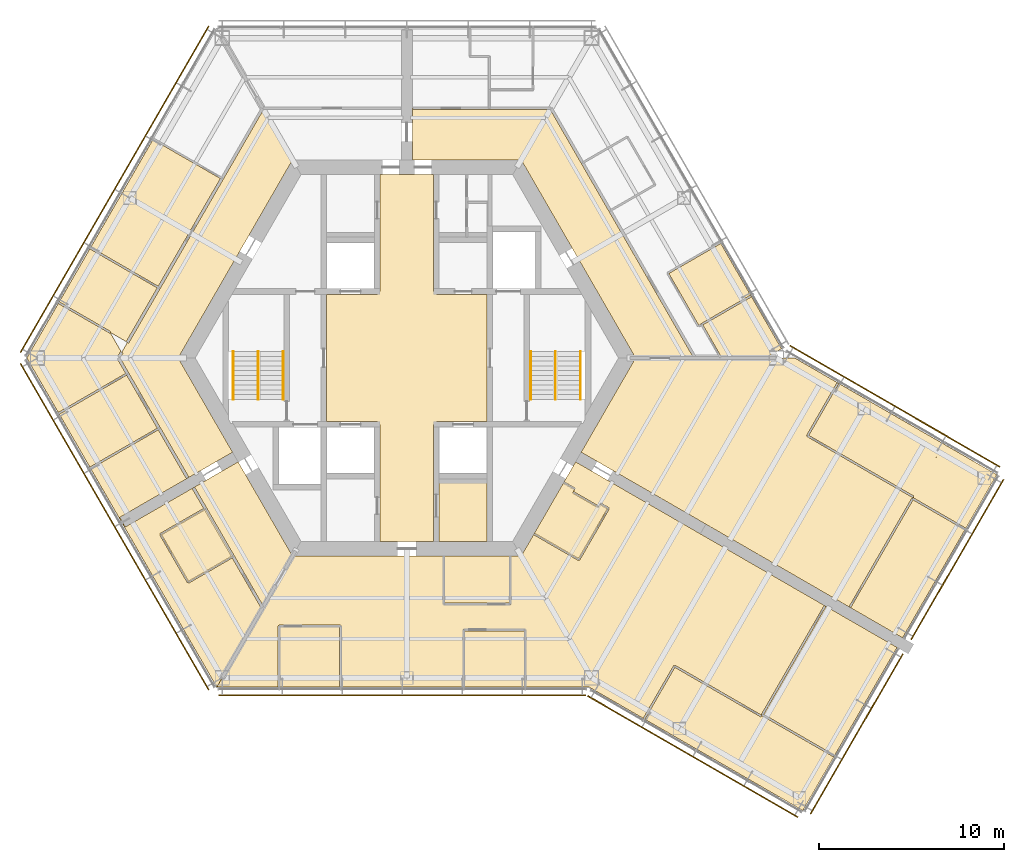
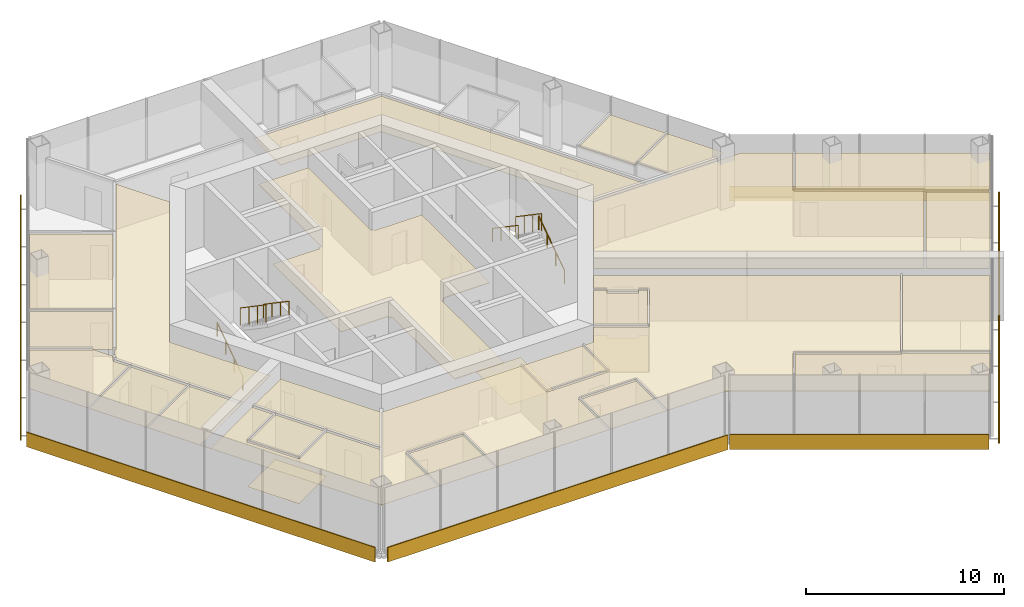
# One storey, part 16 of 17: 26 coverings, 7 shading devices, 6 railings.
"""IFC4 building model written with IfcOpenShell, lengths in metres."""

from ifc_helpers import new_model, si_unit, direction, frame, origin, origin_2d, place, context, subcontext, project, spatial, polyline, rectangle, circle, outline, extrude, material, layer, layer_set, type_object, element, save


model = new_model("IFC4")

# Units and contexts
model_context = context("Model", 3, precision=1e-05, world=origin(), true_north=direction((0.0, 1.0)))
body_context = subcontext(model_context, "Body", "Model", "MODEL_VIEW")
ifc_project = project(units=[si_unit("LENGTHUNIT", "METRE"), si_unit("AREAUNIT", "SQUARE_METRE"), si_unit("VOLUMEUNIT", "CUBIC_METRE"), si_unit("PLANEANGLEUNIT", "RADIAN"), si_unit("MASSUNIT", "GRAM", prefix="KILO")], contexts=[model_context])

# Site, building, storey
site_placement = place(None, origin())
site = spatial("IfcSite", under=ifc_project, at=site_placement, CompositionType="ELEMENT")
building_placement = place(site_placement, origin())
building = spatial("IfcBuilding", under=site, at=building_placement, Name="Kasaneha Research Tower", CompositionType="ELEMENT")
storey_placement = place(building_placement, frame((0.0, 0.0, 224.5)))
storey = spatial("IfcBuildingStorey", under=building, at=storey_placement, Name="L56", CompositionType="ELEMENT", Elevation=224.5)

# Covering
ifc_material_1 = material(Name="Aluminium panel ceiling", Category="aluminium")
ifc_layer_1 = layer(ifc_material_1, 0.0400390625)
ifc_layer_set_1 = layer_set([ifc_layer_1], Name="Lift lobby ceiling 40")
covering_type_1 = type_object("IfcCoveringType", Name="Lift lobby ceiling 40", PredefinedType="CEILING", material=ifc_layer_set_1)
covering_1_placement = place(storey_placement, frame((0.0, 0.0, 2.699951171875)))
element("IfcCovering", 1, at=covering_1_placement, inside=storey, type_object=covering_type_1, Name="Ceiling L56-01", PredefinedType="CEILING", context=body_context, shape_type="SweptSolid", body=[
    extrude(outline(polyline([(1.449951171875, 9.925048828125), (1.449951171875, 3.60009765625), (1.60009765625, 3.60009765625), (1.60009765625, 3.449951171875), (4.35009765625, 3.449951171875), (4.35009765625, -3.449951171875), (1.60009765625, -3.449951171875), (1.60009765625, -3.60009765625), (1.449951171875, -3.60009765625), (1.449951171875, -9.925048828125), (-1.449951171875, -9.925048828125), (-1.449951171875, -3.60009765625), (-1.60009765625, -3.60009765625), (-1.60009765625, -3.449951171875), (-4.35009765625, -3.449951171875), (-4.35009765625, 3.449951171875), (-1.60009765625, 3.449951171875), (-1.60009765625, 3.60009765625), (-1.449951171875, 3.60009765625), (-1.449951171875, 9.925048828125), (1.449951171875, 9.925048828125)])), origin(), (0.0, 0.0, 1.0), 0.0400390625),
])

# Railings
ifc_material_2 = material(Name="Steel", Category="steel")
railing_type_1 = type_object("IfcRailingType", Name="Stair balustrade 1100", PredefinedType="GUARDRAIL", material=ifc_material_2)
for number, where, name in (
    (2, (8.050048828125, 0.35009765625, 2.127197265625), "Stair 1 balustrade L56"),
    (3, (-8.050048828125, 0.35009765625, 2.127197265625), "Stair 2 balustrade L56"),
):
    element("IfcRailing", number, at=place(storey_placement, frame(where)), inside=storey, type_object=railing_type_1, Name=name, PredefinedType="GUARDRAIL", context=body_context, shape_type="SweptSolid", body=[
        extrude(circle(Radius=0.02392578125, at=origin_2d()), frame((0.0, 0.0, 1.076171875), z_axis=(0.0, -0.826240473404, 0.563317565952), x_axis=(1.0, 0.0, 0.0)), (0.0, 0.0, 1.0), 3.14697265625),
        extrude(circle(Radius=0.02099609375, at=origin_2d()), origin(), (0.0, 0.0, 1.0), 1.052001953125),
        extrude(circle(Radius=0.02099609375, at=origin_2d()), frame((0.0, -0.86669921875, 0.5908203125)), (0.0, 0.0, 1.0), 1.052001953125),
        extrude(circle(Radius=0.02099609375, at=origin_2d()), frame((0.0, -1.7333984375, 1.181884765625)), (0.0, 0.0, 1.0), 1.052001953125),
        extrude(circle(Radius=0.02099609375, at=origin_2d()), frame((0.0, -2.60009765625, 1.772705078125)), (0.0, 0.0, 1.0), 1.052001953125),
    ])
ifc_material_3 = material(Name="Steel", Category="steel")
railing_type_2 = type_object("IfcRailingType", Name="Stair handrail 850", PredefinedType="HANDRAIL", material=ifc_material_3)
railing_1_placement = place(storey_placement, frame((9.39990234375, -2.25, 0.17724609375)))
element("IfcRailing", 4, at=railing_1_placement, inside=storey, type_object=railing_type_2, Name="Stair 1 handrail L56", PredefinedType="HANDRAIL", context=body_context, shape_type="SweptSolid", body=[
    extrude(circle(Radius=0.02392578125, at=origin_2d()), frame((0.0, 0.0, 0.826171875), z_axis=(0.0, 0.826240473404, 0.563317565952), x_axis=(-1.0, 0.0, 0.0)), (0.0, 0.0, 1.0), 3.14697265625),
    extrude(circle(Radius=0.02099609375, at=origin_2d()), origin(), (0.0, 0.0, 1.0), 0.802001953125),
    extrude(circle(Radius=0.02099609375, at=origin_2d()), frame((0.0, 0.86669921875, 0.5908203125)), (0.0, 0.0, 1.0), 0.802001953125),
    extrude(circle(Radius=0.02099609375, at=origin_2d()), frame((0.0, 1.7333984375, 1.181884765625)), (0.0, 0.0, 1.0), 0.802001953125),
    extrude(circle(Radius=0.02099609375, at=origin_2d()), frame((0.0, 2.60009765625, 1.772705078125)), (0.0, 0.0, 1.0), 0.802001953125),
])
railing_2_placement = place(storey_placement, frame((6.699951171875, 0.35009765625, 2.127197265625)))
element("IfcRailing", 5, at=railing_2_placement, inside=storey, type_object=railing_type_2, Name="Stair 1 handrail L56", PredefinedType="HANDRAIL", context=body_context, shape_type="SweptSolid", body=[
    extrude(circle(Radius=0.02392578125, at=origin_2d()), frame((0.0, 0.0, 0.826171875), z_axis=(0.0, -0.826240473404, 0.563317565952), x_axis=(1.0, 0.0, 0.0)), (0.0, 0.0, 1.0), 3.14697265625),
    extrude(circle(Radius=0.02099609375, at=origin_2d()), origin(), (0.0, 0.0, 1.0), 0.802001953125),
    extrude(circle(Radius=0.02099609375, at=origin_2d()), frame((0.0, -0.86669921875, 0.5908203125)), (0.0, 0.0, 1.0), 0.802001953125),
    extrude(circle(Radius=0.02099609375, at=origin_2d()), frame((0.0, -1.7333984375, 1.181884765625)), (0.0, 0.0, 1.0), 0.802001953125),
    extrude(circle(Radius=0.02099609375, at=origin_2d()), frame((0.0, -2.60009765625, 1.772705078125)), (0.0, 0.0, 1.0), 0.802001953125),
])
railing_3_placement = place(storey_placement, frame((-9.39990234375, -2.25, 0.17724609375)))
element("IfcRailing", 6, at=railing_3_placement, inside=storey, type_object=railing_type_2, Name="Stair 2 handrail L56", PredefinedType="HANDRAIL", context=body_context, shape_type="SweptSolid", body=[
    extrude(circle(Radius=0.02392578125, at=origin_2d()), frame((0.0, 0.0, 0.826171875), z_axis=(0.0, 0.826240473404, 0.563317565952), x_axis=(-1.0, 0.0, 0.0)), (0.0, 0.0, 1.0), 3.14697265625),
    extrude(circle(Radius=0.02099609375, at=origin_2d()), origin(), (0.0, 0.0, 1.0), 0.802001953125),
    extrude(circle(Radius=0.02099609375, at=origin_2d()), frame((0.0, 0.86669921875, 0.5908203125)), (0.0, 0.0, 1.0), 0.802001953125),
    extrude(circle(Radius=0.02099609375, at=origin_2d()), frame((0.0, 1.7333984375, 1.181884765625)), (0.0, 0.0, 1.0), 0.802001953125),
    extrude(circle(Radius=0.02099609375, at=origin_2d()), frame((0.0, 2.60009765625, 1.772705078125)), (0.0, 0.0, 1.0), 0.802001953125),
])
railing_4_placement = place(storey_placement, frame((-6.699951171875, 0.35009765625, 2.127197265625)))
element("IfcRailing", 7, at=railing_4_placement, inside=storey, type_object=railing_type_2, Name="Stair 2 handrail L56", PredefinedType="HANDRAIL", context=body_context, shape_type="SweptSolid", body=[
    extrude(circle(Radius=0.02392578125, at=origin_2d()), frame((0.0, 0.0, 0.826171875), z_axis=(0.0, -0.826240473404, 0.563317565952), x_axis=(1.0, 0.0, 0.0)), (0.0, 0.0, 1.0), 3.14697265625),
    extrude(circle(Radius=0.02099609375, at=origin_2d()), origin(), (0.0, 0.0, 1.0), 0.802001953125),
    extrude(circle(Radius=0.02099609375, at=origin_2d()), frame((0.0, -0.86669921875, 0.5908203125)), (0.0, 0.0, 1.0), 0.802001953125),
    extrude(circle(Radius=0.02099609375, at=origin_2d()), frame((0.0, -1.7333984375, 1.181884765625)), (0.0, 0.0, 1.0), 0.802001953125),
    extrude(circle(Radius=0.02099609375, at=origin_2d()), frame((0.0, -2.60009765625, 1.772705078125)), (0.0, 0.0, 1.0), 0.802001953125),
])

# Coverings
ifc_material_4 = material(Name="Gypsum ceiling board", Category="gypsum")
ifc_layer_2 = layer(ifc_material_4, 0.02001953125)
ifc_layer_set_2 = layer_set([ifc_layer_2], Name="Suspended ceiling 20")
covering_type_2 = type_object("IfcCoveringType", Name="Suspended ceiling 20", PredefinedType="CEILING", material=ifc_layer_set_2)
covering_2_placement = place(storey_placement, frame((0.0, 0.0, 2.800048828125)))
element("IfcCovering", 8, at=covering_2_placement, inside=storey, type_object=covering_type_2, Name="Ceiling L56-24", PredefinedType="CEILING", context=body_context, shape_type="SweptSolid", body=[
    extrude(outline(polyline([(6.192138671875, 10.72509765625), (0.300048828125, 10.72509765625), (0.300048828125, 11.72509765625), (0.300048828125, 12.72509765625), (0.300048828125, 13.52490234375), (0.320068359375, 13.52490234375), (0.320068359375, 13.449951171875), (4.46044921875, 13.449951171875), (4.469970703125, 13.449951171875), (7.765380859375, 13.449951171875), (9.4501953125, 10.531494140625), (9.4501953125, 10.53173828125), (10.950439453125, 7.93310546875), (10.95068359375, 7.93310546875), (15.53076171875, 0.0), (12.38427734375, 0.0), (6.192138671875, 10.72509765625)])), origin(), (0.0, 0.0, 1.0), 0.02001953125),
])
covering_3_placement = place(storey_placement, frame((0.0, 0.0, 2.800048828125)))
element("IfcCovering", 9, at=covering_3_placement, inside=storey, type_object=covering_type_2, Name="Ceiling L56-27", PredefinedType="CEILING", context=body_context, shape_type="SweptSolid", body=[
    extrude(outline(polyline([(18.63720703125, 3.360595703125), (18.619873046875, 3.3505859375), (18.5947265625, 3.393798828125), (15.923095703125, 1.851318359375), (15.947998046875, 1.80810546875), (15.9306640625, 1.7978515625), (15.9130859375, 1.787841796875), (15.9130859375, 1.787841796875), (15.822509765625, 1.735595703125), (14.18212890625, 4.576904296875), (16.99658203125, 6.201904296875), (18.63720703125, 3.360595703125)])), origin(), (0.0, 0.0, 1.0), 0.02001953125),
])
covering_4_placement = place(storey_placement, frame((0.0, 0.0, 2.800048828125)))
element("IfcCovering", 10, at=covering_4_placement, inside=storey, type_object=covering_type_2, Name="Ceiling L56-29", PredefinedType="CEILING", context=body_context, shape_type="SweptSolid", body=[
    extrude(outline(polyline([(16.997802734375, 0.0), (16.986328125, 0.02001953125), (17.029541015625, 0.044921875), (16.024658203125, 1.79443359375), (18.644775390625, 3.30712890625), (18.619873046875, 3.3505859375), (18.63720703125, 3.360595703125), (20.28759765625, 0.501708984375), (19.41845703125, 0.0), (16.997802734375, 0.0)])), origin(), (0.0, 0.0, 1.0), 0.02001953125),
])
covering_5_placement = place(storey_placement, frame((0.0, 0.0, 2.800048828125)))
element("IfcCovering", 11, at=covering_5_placement, inside=storey, type_object=covering_type_2, Name="Ceiling L56-33", PredefinedType="CEILING", context=body_context, shape_type="SweptSolid", body=[
    extrude(outline(polyline([(-12.38427734375, 0.0), (-9.438232421875, -5.102783203125), (-10.30419921875, -5.602783203125), (-10.30419921875, -5.602783203125), (-11.170166015625, -6.102783203125), (-11.170166015625, -6.102783203125), (-11.863037109375, -6.502685546875), (-11.873046875, -6.4853515625), (-11.80810546875, -6.447998046875), (-13.358154296875, -3.7626953125), (-13.358154296875, -3.762939453125), (-15.065673828125, -0.805419921875), (-15.065673828125, -0.805419921875), (-15.53076171875, 0.0), (-15.376220703125, 0.267578125), (-15.441162109375, 0.304931640625), (-15.130859375, 0.84228515625), (-15.066162109375, 0.804931640625), (-13.353271484375, 3.771484375), (-13.353271484375, 3.771484375), (-9.93798828125, 9.686767578125), (-9.93798828125, 9.686767578125), (-7.765380859375, 13.449951171875), (-6.192138671875, 10.72509765625), (-12.38427734375, 0.0)])), origin(), (0.0, 0.0, 1.0), 0.02001953125),
])
covering_6_placement = place(storey_placement, frame((0.0, 0.0, 2.800048828125)))
element("IfcCovering", 12, at=covering_6_placement, inside=storey, type_object=covering_type_2, Name="Ceiling L56-34", PredefinedType="CEILING", context=body_context, shape_type="SweptSolid", body=[
    extrude(outline(polyline([(-17.12353515625, 5.9423828125), (-17.1484375, 5.899169921875), (-13.512939453125, 3.794921875), (-15.193359375, 0.88427734375), (-16.06689453125, 1.388427734375), (-16.041748046875, 1.431884765625), (-18.823486328125, 3.037841796875), (-17.140869140625, 5.952392578125), (-17.12353515625, 5.9423828125)])), origin(), (0.0, 0.0, 1.0), 0.02001953125),
])
covering_7_placement = place(storey_placement, frame((0.0, 0.0, 2.800048828125)))
element("IfcCovering", 13, at=covering_7_placement, inside=storey, type_object=covering_type_2, Name="Ceiling L56-36", PredefinedType="CEILING", context=body_context, shape_type="SweptSolid", body=[
    extrude(outline(polyline([(-15.539794921875, -8.62548828125), (-15.539794921875, -8.62548828125), (-15.3896484375, -8.88525390625), (-15.43310546875, -8.91015625), (-17.140869140625, -5.952392578125), (-17.12353515625, -5.9423828125), (-17.098388671875, -5.98583984375), (-13.45849609375, -3.88916015625), (-11.93798828125, -6.52294921875), (-11.873046875, -6.4853515625), (-11.863037109375, -6.502685546875), (-11.603271484375, -6.352783203125), (-15.539794921875, -8.62548828125), (-15.539794921875, -8.62548828125)])), origin(), (0.0, 0.0, 1.0), 0.02001953125),
])
covering_8_placement = place(storey_placement, frame((0.0, 0.0, 2.800048828125)))
element("IfcCovering", 14, at=covering_8_placement, inside=storey, type_object=covering_type_2, Name="Ceiling L56-37", PredefinedType="CEILING", context=body_context, shape_type="SweptSolid", body=[
    extrude(outline(polyline([(-20.577880859375, 0.0), (-18.873779296875, 2.951171875), (-17.09765625, 1.92578125), (-18.68115234375, 1.011474609375), (-17.097412109375, 1.92578125), (-16.091796875, 1.34521484375), (-16.069580078125, 1.383544921875), (-15.449951171875, 0.31005859375), (-15.506103515625, 0.342529296875), (-15.68212890625, 0.03759765625), (-15.617431640625, 0.0), (-15.617431640625, 0.0), (-15.617431640625, 0.0), (-15.68212890625, -0.03759765625), (-15.220703125, -0.837158203125), (-18.87353515625, -2.951171875), (-20.577880859375, 0.0)])), origin(), (0.0, 0.0, 1.0), 0.02001953125),
])
covering_9_placement = place(storey_placement, frame((0.0, 0.0, 2.800048828125)))
element("IfcCovering", 15, at=covering_9_placement, inside=storey, type_object=covering_type_2, Name="Ceiling L56-38", PredefinedType="CEILING", context=body_context, shape_type="SweptSolid", body=[
    extrude(outline(polyline([(-17.140380859375, 5.952880859375), (-13.750244140625, 11.82470703125), (-10.093017578125, 9.718505859375), (-13.462890625, 3.881591796875), (-17.098388671875, 5.985595703125), (-17.123291015625, 5.94287109375), (-17.140380859375, 5.952880859375)])), origin(), (0.0, 0.0, 1.0), 0.02001953125),
])
covering_10_placement = place(storey_placement, frame((0.0, 0.0, 2.800048828125)))
element("IfcCovering", 16, at=covering_10_placement, inside=storey, type_object=covering_type_2, Name="Ceiling L56-39", PredefinedType="CEILING", context=body_context, shape_type="SweptSolid", body=[
    extrude(outline(polyline([(-17.14111328125, -5.951904296875), (-18.823486328125, -3.037841796875), (-15.170654296875, -0.923828125), (-13.508544921875, -3.802734375), (-17.1484375, -5.899169921875), (-17.123779296875, -5.94189453125), (-17.14111328125, -5.951904296875)])), origin(), (0.0, 0.0, 1.0), 0.02001953125),
])
covering_11_placement = place(storey_placement, frame((0.0, 0.0, 2.800048828125)))
element("IfcCovering", 17, at=covering_11_placement, inside=storey, type_object=covering_type_2, Name="Ceiling L56-40", PredefinedType="CEILING", context=body_context, shape_type="SweptSolid", body=[
    extrude(outline(polyline([(-10.8701171875, -6.622314453125), (-10.004150390625, -6.122314453125), (-10.004150390625, -6.122314453125), (-9.13818359375, -5.622314453125), (-6.192138671875, -10.72509765625), (-7.765380859375, -13.449951171875), (-9.350341796875, -10.704833984375), (-9.350341796875, -10.704833984375), (-10.8505859375, -8.106201171875), (-10.8505859375, -8.106201171875), (-11.488037109375, -7.002197265625), (-11.552978515625, -7.03955078125), (-11.56298828125, -7.022216796875), (-10.8701171875, -6.622314453125), (-10.8701171875, -6.622314453125)])), origin(), (0.0, 0.0, 1.0), 0.02001953125),
])
covering_12_placement = place(storey_placement, frame((0.0, 0.0, 2.800048828125)))
element("IfcCovering", 18, at=covering_12_placement, inside=storey, type_object=covering_type_2, Name="Ceiling L56-41", PredefinedType="CEILING", context=body_context, shape_type="SweptSolid", body=[
    extrude(outline(polyline([(-13.26953125, -9.56640625), (-10.95068359375, -8.232666015625), (-9.505126953125, -10.736572265625), (-11.819580078125, -12.077880859375), (-13.26953125, -9.56640625)])), origin(), (0.0, 0.0, 1.0), 0.02001953125),
])
covering_13_placement = place(storey_placement, frame((0.0, 0.0, 2.800048828125)))
element("IfcCovering", 19, at=covering_13_placement, inside=storey, type_object=covering_type_2, Name="Ceiling L56-42", PredefinedType="CEILING", context=body_context, shape_type="SweptSolid", body=[
    extrude(outline(polyline([(-11.553466796875, -7.039794921875), (-11.617919921875, -7.0771484375), (-11.000732421875, -8.14599609375), (-13.36279296875, -9.504638671875), (-13.337890625, -9.5478515625), (-13.33837890625, -9.548095703125), (-13.338134765625, -9.54833984375), (-13.381103515625, -9.572998046875), (-11.881103515625, -12.171142578125), (-11.83837890625, -12.146484375), (-11.83837890625, -12.146484375), (-11.837890625, -12.146240234375), (-11.812744140625, -12.189453125), (-9.455078125, -10.8232421875), (-7.88525390625, -13.54248046875), (-7.820556640625, -13.505126953125), (-7.808837890625, -13.525390625), (-10.28857421875, -17.820556640625), (-15.43310546875, -8.91015625), (-15.3896484375, -8.88525390625), (-15.23974609375, -9.14501953125), (-15.23974609375, -9.14501953125), (-15.23974609375, -9.14501953125), (-11.5634765625, -7.0224609375), (-11.553466796875, -7.039794921875)])), origin(), (0.0, 0.0, 1.0), 0.02001953125),
])
covering_14_placement = place(storey_placement, frame((0.0, 0.0, 2.800048828125)))
element("IfcCovering", 20, at=covering_14_placement, inside=storey, type_object=covering_type_2, Name="Ceiling L56-43", PredefinedType="CEILING", context=body_context, shape_type="SweptSolid", body=[
    extrude(outline(polyline([(27.826416015625, -6.824462890625), (29.075439453125, -4.661865234375), (31.941650390625, -6.316650390625), (30.266845703125, -9.218017578125), (27.41064453125, -7.563720703125), (27.384033203125, -7.609619140625), (27.43212890625, -7.525146484375), (27.425048828125, -7.52001953125), (27.449951171875, -7.476806640625), (21.760498046875, -4.19189453125), (23.37548828125, -1.39453125), (23.332275390625, -1.36962890625), (23.34228515625, -1.352294921875), (29.074951171875, -4.662109375), (27.826416015625, -6.824462890625)])), origin(), (0.0, 0.0, 1.0), 0.02001953125),
])
covering_15_placement = place(storey_placement, frame((0.0, 0.0, 2.800048828125)))
element("IfcCovering", 21, at=covering_15_placement, inside=storey, type_object=covering_type_2, Name="Ceiling L56-44", PredefinedType="CEILING", context=body_context, shape_type="SweptSolid", body=[
    extrude(outline(polyline([(23.9833984375, -13.50048828125), (23.993408203125, -13.483154296875), (24.036865234375, -13.508056640625), (27.40771484375, -7.677490234375), (30.216552734375, -9.304443359375), (26.84130859375, -15.150390625), (23.9833984375, -13.50048828125)])), origin(), (0.0, 0.0, 1.0), 0.02001953125),
])
covering_16_placement = place(storey_placement, frame((0.0, 0.0, 2.800048828125)))
element("IfcCovering", 22, at=covering_16_placement, inside=storey, type_object=covering_type_2, Name="Ceiling L56-45", PredefinedType="CEILING", context=body_context, shape_type="SweptSolid", body=[
    extrude(outline(polyline([(9.438232421875, -5.102783203125), (12.38427734375, 0.0), (15.53076171875, 0.0), (15.540771484375, -0.017578125), (15.571044921875, 0.0), (16.93994140625, 0.0), (16.94287109375, -0.0048828125), (16.951416015625, 0.0), (21.0, 0.0), (23.341796875, -1.35205078125), (23.331787109375, -1.369384765625), (23.288818359375, -1.344482421875), (21.64892578125, -4.185302734375), (21.692138671875, -4.210205078125), (21.69189453125, -4.21044921875), (21.69189453125, -4.210693359375), (21.667236328125, -4.25341796875), (27.39990234375, -7.563232421875), (27.424560546875, -7.520751953125), (27.43212890625, -7.525146484375), (27.382568359375, -7.611083984375), (27.343505859375, -7.58837890625), (23.9501953125, -13.4580078125), (23.9931640625, -13.48291015625), (23.98291015625, -13.500244140625), (11.170166015625, -6.102783203125), (11.170166015625, -6.102783203125), (10.30419921875, -5.602783203125), (10.30419921875, -5.602783203125), (9.438232421875, -5.102783203125)])), origin(), (0.0, 0.0, 1.0), 0.02001953125),
])
covering_17_placement = place(storey_placement, frame((0.0, 0.0, 2.800048828125)))
element("IfcCovering", 23, at=covering_17_placement, inside=storey, type_object=covering_type_2, Name="Ceiling L56-46", PredefinedType="CEILING", context=body_context, shape_type="SweptSolid", body=[
    extrude(outline(polyline([(8.488037109375, -6.748046875), (8.50537109375, -6.758056640625), (8.48046875, -6.801513671875), (9.0693359375, -7.141357421875), (9.09423828125, -7.09814453125), (9.09423828125, -7.09814453125), (9.019287109375, -7.22802734375), (9.019287109375, -7.22802734375), (8.96923828125, -7.314697265625), (10.35498046875, -8.114501953125), (10.3798828125, -8.0712890625), (10.3798828125, -8.0712890625), (10.455078125, -7.94140625), (10.8447265625, -8.16650390625), (9.294677734375, -10.85107421875), (6.930419921875, -9.486083984375), (6.905517578125, -9.529296875), (6.88818359375, -9.51953125), (8.488037109375, -6.748046875)])), origin(), (0.0, 0.0, 1.0), 0.02001953125),
])
covering_18_placement = place(storey_placement, frame((0.0, 0.0, 2.800048828125)))
element("IfcCovering", 24, at=covering_18_placement, inside=storey, type_object=covering_type_2, Name="Ceiling L56-47", PredefinedType="CEILING", context=body_context, shape_type="SweptSolid", body=[
    extrude(outline(polyline([(-6.91552734375, -17.820556640625), (-6.91552734375, -17.800537109375), (-6.865478515625, -17.800537109375), (-6.865478515625, -14.570556640625), (-3.634521484375, -14.570556640625), (-3.634521484375, -17.800537109375), (-3.58447265625, -17.800537109375), (-3.58447265625, -17.820556640625), (-6.91552734375, -17.820556640625)])), origin(), (0.0, 0.0, 1.0), 0.02001953125),
])
covering_19_placement = place(storey_placement, frame((0.0, 0.0, 2.800048828125)))
element("IfcCovering", 25, at=covering_19_placement, inside=storey, type_object=covering_type_2, Name="Ceiling L56-48", PredefinedType="CEILING", context=body_context, shape_type="SweptSolid", body=[
    extrude(outline(polyline([(19.242431640625, -19.311279296875), (19.21630859375, -19.3564453125), (23.098876953125, -21.592529296875), (23.1240234375, -21.549072265625), (23.1416015625, -21.559326171875), (21.44140625, -24.50390625), (18.574951171875, -22.84912109375), (19.11962890625, -21.9052734375), (18.574951171875, -22.8486328125), (12.885498046875, -19.563720703125), (14.510498046875, -16.748291015625), (19.1689453125, -19.4375), (19.198486328125, -19.386474609375), (19.242431640625, -19.311279296875)])), origin(), (0.0, 0.0, 1.0), 0.02001953125),
])
covering_20_placement = place(storey_placement, frame((0.0, 0.0, 2.800048828125)))
element("IfcCovering", 26, at=covering_20_placement, inside=storey, type_object=covering_type_2, Name="Ceiling L56-49", PredefinedType="CEILING", context=body_context, shape_type="SweptSolid", body=[
    extrude(outline(polyline([(23.141357421875, -21.55908203125), (23.1240234375, -21.549072265625), (23.14892578125, -21.505859375), (19.3134765625, -19.296875), (22.677490234375, -13.46240234375), (22.63427734375, -13.4375), (22.644287109375, -13.420166015625), (24.52783203125, -14.507568359375), (26.541259765625, -15.670166015625), (23.141357421875, -21.55908203125)])), origin(), (0.0, 0.0, 1.0), 0.02001953125),
])
covering_21_placement = place(storey_placement, frame((0.0, 0.0, 2.800048828125)))
element("IfcCovering", 27, at=covering_21_placement, inside=storey, type_object=covering_type_2, Name="Ceiling L56-50", PredefinedType="CEILING", context=body_context, shape_type="SweptSolid", body=[
    extrude(outline(polyline([(5.60009765625, -10.72509765625), (5.60009765625, -10.7451171875), (5.550048828125, -10.7451171875), (5.550048828125, -13.27490234375), (2.050048828125, -13.27490234375), (2.050048828125, -10.7451171875), (2.0, -10.7451171875), (2.0, -10.72509765625), (5.60009765625, -10.72509765625)])), origin(), (0.0, 0.0, 1.0), 0.02001953125),
])
covering_22_placement = place(storey_placement, frame((0.0, 0.0, 2.800048828125)))
element("IfcCovering", 28, at=covering_22_placement, inside=storey, type_object=covering_type_2, Name="Ceiling L56-51", PredefinedType="CEILING", context=body_context, shape_type="SweptSolid", body=[
    extrude(outline(polyline([(3.077392578125, -17.820556640625), (3.077392578125, -17.800537109375), (3.12744140625, -17.800537109375), (3.12744140625, -14.7705078125), (6.3583984375, -14.7705078125), (6.3583984375, -17.800537109375), (6.408203125, -17.800537109375), (6.408203125, -17.820556640625), (3.077392578125, -17.820556640625)])), origin(), (0.0, 0.0, 1.0), 0.02001953125),
])
covering_23_placement = place(storey_placement, frame((0.0, 0.0, 2.800048828125)))
element("IfcCovering", 29, at=covering_23_placement, inside=storey, type_object=covering_type_2, Name="Ceiling L56-52", PredefinedType="CEILING", context=body_context, shape_type="SweptSolid", body=[
    extrude(outline(polyline([(1.99951171875, -10.7451171875), (1.949951171875, -10.7451171875), (1.949951171875, -13.324951171875), (1.999755859375, -13.324951171875), (1.999755859375, -13.325439453125), (2.0, -13.325439453125), (2.0, -13.375), (5.60009765625, -13.375), (5.60009765625, -13.325439453125), (5.60009765625, -13.325439453125), (5.60009765625, -13.324951171875), (5.64990234375, -13.324951171875), (5.64990234375, -10.7451171875), (5.6005859375, -10.7451171875), (5.6005859375, -10.72509765625), (6.192138671875, -10.72509765625), (6.887939453125, -9.519775390625), (6.905029296875, -9.52978515625), (6.88037109375, -9.57275390625), (9.2880859375, -10.962646484375), (9.312744140625, -10.919677734375), (9.313232421875, -10.919921875), (9.3134765625, -10.919677734375), (9.356201171875, -10.9443359375), (10.956298828125, -8.173095703125), (10.913330078125, -8.1484375), (10.913330078125, -8.1484375), (10.9130859375, -8.148193359375), (10.93798828125, -8.104736328125), (10.5048828125, -7.854736328125), (10.480224609375, -7.897705078125), (10.47998046875, -7.897705078125), (10.404541015625, -8.02783203125), (9.019775390625, -7.228271484375), (9.0947265625, -7.097900390625), (9.094482421875, -7.09765625), (9.119384765625, -7.0546875), (8.530517578125, -6.71484375), (8.505615234375, -6.757568359375), (8.48828125, -6.747802734375), (9.13818359375, -5.622314453125), (10.004150390625, -6.122314453125), (10.004150390625, -6.122314453125), (10.8701171875, -6.622314453125), (10.8701171875, -6.622314453125), (18.392822265625, -10.965576171875), (22.643798828125, -13.419921875), (22.6337890625, -13.437255859375), (22.5908203125, -13.412353515625), (19.204345703125, -19.2861328125), (19.243408203125, -19.30859375), (19.21875, -19.35107421875), (14.51708984375, -16.63671875), (14.4921875, -16.68017578125), (14.44873046875, -16.655029296875), (12.798828125, -19.513916015625), (9.865966796875, -17.820556640625), (6.40869140625, -17.820556640625), (6.40869140625, -17.800537109375), (6.458251953125, -17.800537109375), (6.458251953125, -14.720458984375), (6.408447265625, -14.720458984375), (6.408447265625, -14.719970703125), (6.408203125, -14.719970703125), (6.408203125, -14.67041015625), (3.077392578125, -14.67041015625), (3.077392578125, -14.72021484375), (3.076904296875, -14.72021484375), (3.076904296875, -14.720458984375), (3.02734375, -14.720458984375), (3.02734375, -17.800537109375), (3.076904296875, -17.800537109375), (3.076904296875, -17.820556640625), (-3.583984375, -17.820556640625), (-3.583984375, -17.800537109375), (-3.534423828125, -17.800537109375), (-3.534423828125, -14.5205078125), (-3.584228515625, -14.5205078125), (-3.584228515625, -14.520263671875), (-3.58447265625, -14.520263671875), (-3.58447265625, -14.470458984375), (-6.91552734375, -14.470458984375), (-6.91552734375, -14.52001953125), (-6.91552734375, -14.52001953125), (-6.91552734375, -14.5205078125), (-6.965576171875, -14.5205078125), (-6.965576171875, -17.800537109375), (-6.916015625, -17.800537109375), (-6.916015625, -17.820556640625), (-10.28857421875, -17.820556640625), (-7.78564453125, -13.485107421875), (-7.75537109375, -13.467529296875), (-7.765380859375, -13.449951171875), (-6.192138671875, -10.72509765625), (1.99951171875, -10.72509765625), (1.99951171875, -10.7451171875)])), origin(), (0.0, 0.0, 1.0), 0.02001953125),
])

# Shading devices
ifc_material_5 = material(Name="Terracotta", Category="masonry")
ifc_layer_3 = layer(ifc_material_5, 0.06005859375)
ifc_layer_set_3 = layer_set([ifc_layer_3], Name="Terracotta baguette screen")
shading_device_type = type_object("IfcShadingDeviceType", Name="Terracotta baguette screen", PredefinedType="USERDEFINED", material=ifc_layer_set_3)
for number, where, z_axis, x_axis, name in (
    (30, (-15.82275390625, 9.13525390625, -0.449951171875), (0.0, 0.0, 1.0), (-0.499999995722, -0.866025406254, 0.0), "Baguette screen L56 03"),
    (31, (-15.82275390625, -9.13525390625, -0.449951171875), (0.0, 0.0, 1.0), (0.499999995722, -0.866025406254, 0.0), "Baguette screen L56 04"),
):
    element("IfcShadingDevice", number, at=place(storey_placement, frame(where, z_axis=z_axis, x_axis=x_axis)), inside=storey, type_object=shading_device_type, Name=name, ObjectType="TERRACOTTA BAGUETTE SCREEN", PredefinedType="USERDEFINED", context=body_context, shape_type="SweptSolid", body=[
        extrude(rectangle(XDim=20.392822265625, YDim=0.06005859375, at=origin_2d()), origin(), (0.0, 0.0, 1.0), 0.89990234375),
    ])
shading_device_1_placement = place(storey_placement, frame((-0.253662109375, -18.2705078125, -0.449951171875), z_axis=(0.0, 0.0, 1.0), x_axis=(1.0, 0.0, 0.0)))
element("IfcShadingDevice", 32, at=shading_device_1_placement, inside=storey, type_object=shading_device_type, Name="Baguette screen L56 05", ObjectType="TERRACOTTA BAGUETTE SCREEN", PredefinedType="USERDEFINED", context=body_context, shape_type="SweptSolid", body=[
    extrude(rectangle(XDim=19.8857421875, YDim=0.06005859375, at=origin_2d()), origin(), (0.0, 0.0, 1.0), 0.89990234375),
])
shading_device_2_placement = place(storey_placement, frame((15.483642578125, -21.58349609375, -0.449951171875), z_axis=(0.0, 0.0, 1.0), x_axis=(0.866025411464, -0.499999986699, 0.0)))
element("IfcShadingDevice", 33, at=shading_device_2_placement, inside=storey, type_object=shading_device_type, Name="Baguette screen L56 06", ObjectType="TERRACOTTA BAGUETTE SCREEN", PredefinedType="USERDEFINED", context=body_context, shape_type="SweptSolid", body=[
    extrude(rectangle(XDim=13.13916015625, YDim=0.06005859375, at=origin_2d()), origin(), (0.0, 0.0, 1.0), 0.89990234375),
])
for number, where, z_axis, x_axis, name in (
    (34, (24.35595703125, -20.35498046875, -0.449951171875), (0.0, 0.0, 1.0), (0.500000011442, 0.866025397178, 0.0), "Baguette screen L56 07"),
    (35, (29.80615234375, -10.91552734375, -0.449951171875), (0.0, 0.0, 1.0), (0.500000011442, 0.866025397178, 0.0), "Baguette screen L56 08"),
):
    element("IfcShadingDevice", number, at=place(storey_placement, frame(where, z_axis=z_axis, x_axis=x_axis)), inside=storey, type_object=shading_device_type, Name=name, ObjectType="TERRACOTTA BAGUETTE SCREEN", PredefinedType="USERDEFINED", context=body_context, shape_type="SweptSolid", body=[
        extrude(rectangle(XDim=10.0, YDim=0.06005859375, at=origin_2d()), origin(), (0.0, 0.0, 1.0), 0.89990234375),
    ])
shading_device_3_placement = place(storey_placement, frame((26.43359375, -2.617431640625, -0.449951171875), z_axis=(0.0, 0.0, 1.0), x_axis=(-0.866025411464, 0.499999986699, 0.0)))
element("IfcShadingDevice", 36, at=shading_device_3_placement, inside=storey, type_object=shading_device_type, Name="Baguette screen L56 09", ObjectType="TERRACOTTA BAGUETTE SCREEN", PredefinedType="USERDEFINED", context=body_context, shape_type="SweptSolid", body=[
    extrude(rectangle(XDim=13.13916015625, YDim=0.06005859375, at=origin_2d()), origin(), (0.0, 0.0, 1.0), 0.89990234375),
])

# Coverings
ifc_material_6 = material(Name="Vinyl sheet flooring", Category="plastic")
ifc_layer_4 = layer(ifc_material_6, 0.0048828125)
ifc_layer_set_4 = layer_set([ifc_layer_4], Name="Wet room sheet flooring 5")
covering_type_3 = type_object("IfcCoveringType", Name="Wet room sheet flooring 5", PredefinedType="FLOORING", material=ifc_layer_set_4)
covering_24_placement = place(storey_placement, origin())
element("IfcCovering", 37, at=covering_24_placement, inside=storey, type_object=covering_type_3, Name="Floor finish L56-11", PredefinedType="FLOORING", context=body_context, shape_type="SweptSolid", body=[
    extrude(outline(polyline([(1.75, -9.925048828125), (1.75, -6.550048828125), (4.35009765625, -6.550048828125), (4.35009765625, -9.925048828125), (1.75, -9.925048828125)])), origin(), (0.0, 0.0, 1.0), 0.0048828125),
])
covering_25_placement = place(storey_placement, origin())
element("IfcCovering", 38, at=covering_25_placement, inside=storey, type_object=covering_type_3, Name="Floor finish L56-41", PredefinedType="FLOORING", context=body_context, shape_type="SweptSolid", body=[
    extrude(outline(polyline([(-11.837890625, -12.146240234375), (-13.337890625, -9.548095703125), (-10.9130859375, -8.148193359375), (-9.4130859375, -10.746337890625), (-11.837890625, -12.146240234375)])), origin(), (0.0, 0.0, 1.0), 0.0048828125),
])
covering_26_placement = place(storey_placement, origin())
element("IfcCovering", 39, at=covering_26_placement, inside=storey, type_object=covering_type_3, Name="Floor finish L56-46", PredefinedType="FLOORING", context=body_context, shape_type="SweptSolid", body=[
    extrude(outline(polyline([(9.31298828125, -10.91943359375), (6.88818359375, -9.51953125), (8.488037109375, -6.748046875), (9.09423828125, -7.09814453125), (8.994384765625, -7.271240234375), (10.3798828125, -8.0712890625), (10.47998046875, -7.898193359375), (10.9130859375, -8.148193359375), (9.31298828125, -10.91943359375)])), origin(), (0.0, 0.0, 1.0), 0.0048828125),
])

save(model, "model.ifc")
